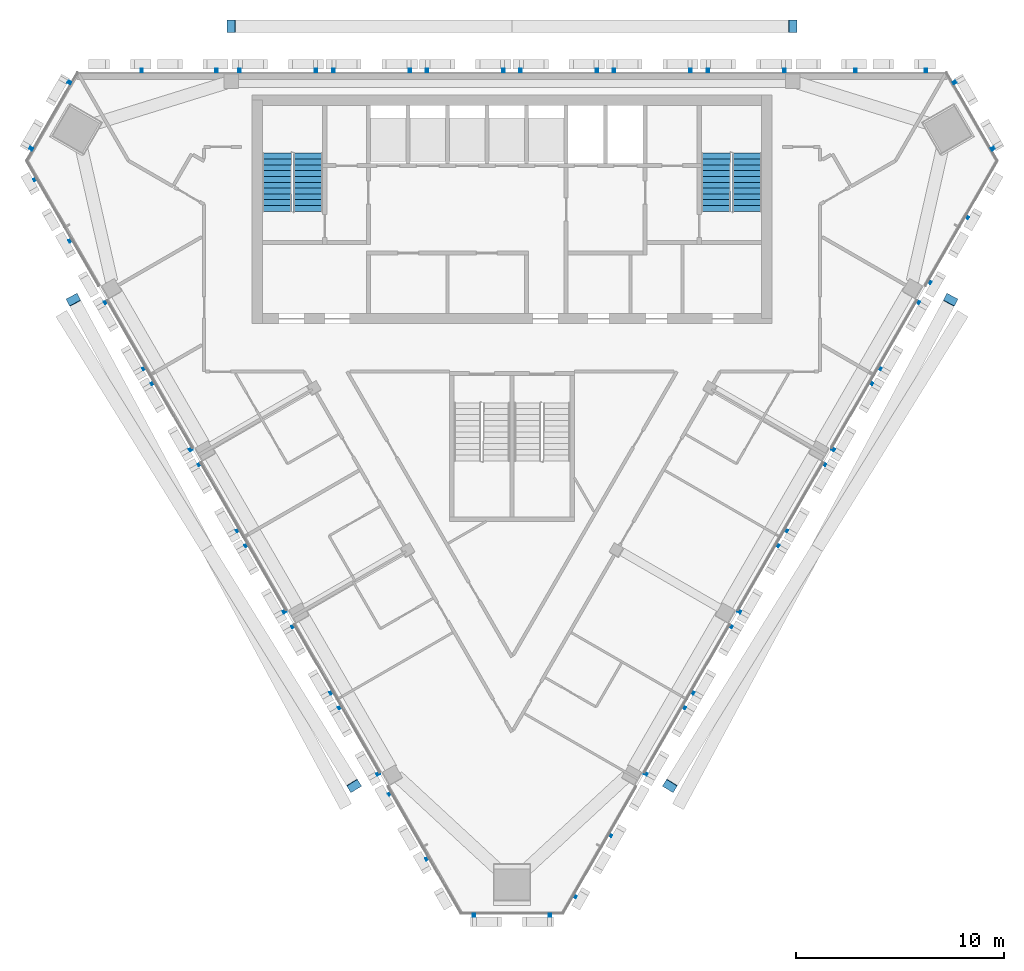
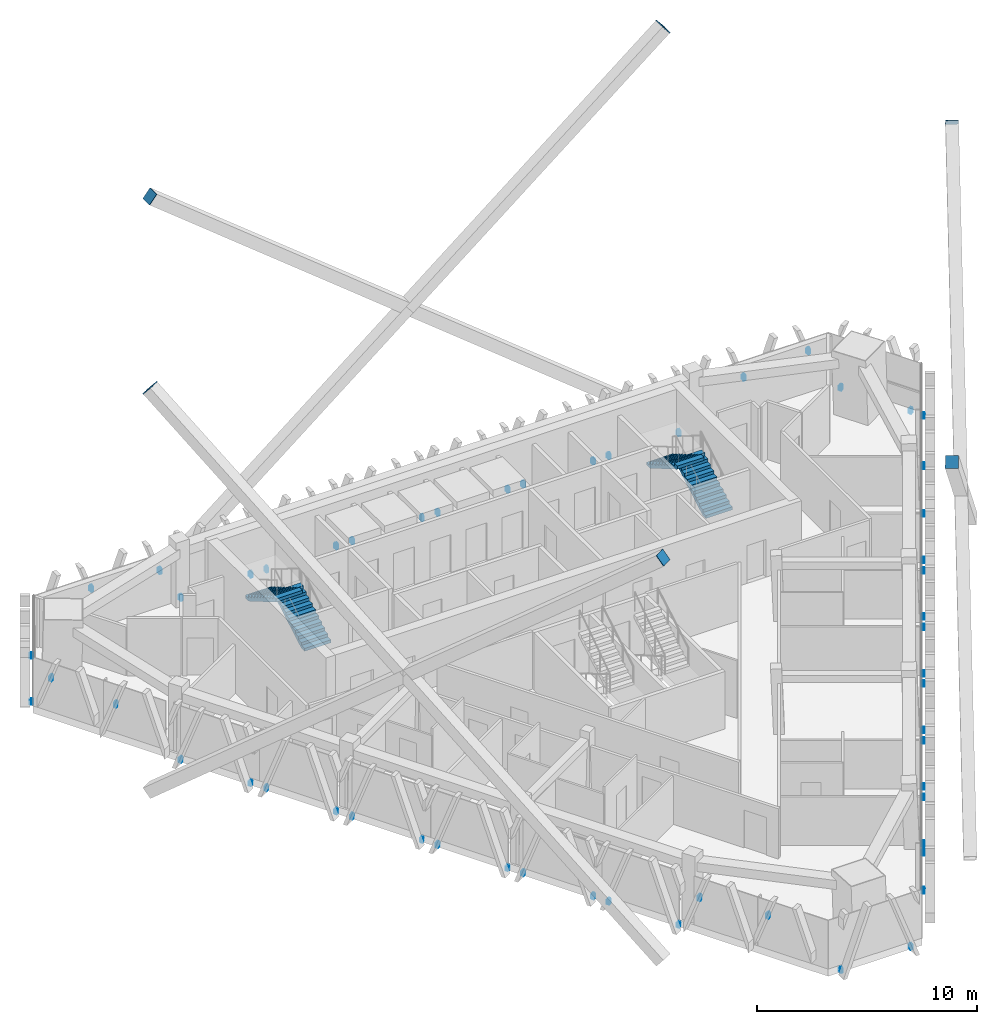
# One storey, part 11 of 14: 12 discrete accessories, 4 stair flights, 2 elements without a shape of their own.
"""IFC4 building model written with IfcOpenShell, lengths in metres."""

import ifcopenshell
import ifcopenshell.guid

model = None  # the IFC model being written
_history = None  # IfcOwnerHistory: only IFC2X3 demands one
_inside = {}  # id of a spatial element -> (the spatial element, [elements in it])
_under = {}  # id of a project, library or spatial element -> (it, [spatial elements below it])
_declared = {}  # id of a project -> (the project, [libraries it declares])
_typed = {}  # id of a type object -> (the type object, [elements of that type])
_made_of = {}  # id of a material, layer set ... -> (it, [elements and type objects made of it])


def new_model(schema):
    """Start an empty IFC model of exactly this schema.

    Asked for "IFC4X3", IfcOpenShell would pick the latest addendum, in which some entities
    have other attributes; the version numbers below select the first issue.
    IFC2X3 requires an IfcOwnerHistory on every rooted entity: one is made here for all.
    """
    global model, _history
    if schema == "IFC4X3":
        model = ifcopenshell.file(schema_version=(4, 3, 0, 0))
    else:
        model = ifcopenshell.file(schema=schema)
    _inside.clear()
    _under.clear()
    _declared.clear()
    _typed.clear()
    _made_of.clear()
    _history = None
    if model.schema == "IFC2X3":
        org = make("IfcOrganization", Name="unknown")
        user = make(
            "IfcPersonAndOrganization",
            ThePerson=make("IfcPerson", FamilyName="unknown"),
            TheOrganization=org,
        )
        app = make(
            "IfcApplication",
            ApplicationDeveloper=org,
            Version="unknown",
            ApplicationFullName="unknown",
            ApplicationIdentifier="unknown",
        )
        _history = make(
            "IfcOwnerHistory",
            OwningUser=user,
            OwningApplication=app,
            ChangeAction="ADDED",
            CreationDate=0,
        )
    return model


def make(cls, **values):
    """One entity of the class cls with the attributes given. An attribute that is None is left unset."""
    return model.create_entity(
        cls, **{name: value for name, value in values.items() if value is not None}
    )


def rooted(cls, **values):
    """An entity with a GlobalId (a new one), such as an element, a storey or a relation."""
    return make(cls, GlobalId=ifcopenshell.guid.new(), OwnerHistory=_history, **values)


def si_unit(unit_type, name, prefix=None):
    """IfcSIUnit, for example si_unit("LENGTHUNIT", "METRE", prefix="MILLI")."""
    return make("IfcSIUnit", UnitType=unit_type, Prefix=prefix, Name=name)


def assignment(units):
    """IfcUnitAssignment: the units of a project."""
    return None if units is None else make("IfcUnitAssignment", Units=units)


def point(xyz):
    """IfcCartesianPoint."""
    return None if xyz is None else make("IfcCartesianPoint", Coordinates=xyz)


def direction(xyz):
    """IfcDirection."""
    return None if xyz is None else make("IfcDirection", DirectionRatios=xyz)


def frame(location, z_axis=None, x_axis=None):
    """IfcAxis2Placement3D, a coordinate frame: its origin and axes. An axis left out is left unset."""
    return make(
        "IfcAxis2Placement3D",
        Location=point(location),
        Axis=direction(z_axis),
        RefDirection=direction(x_axis),
    )


def frame_2d(location, x_axis=None):
    """IfcAxis2Placement2D, a coordinate frame in the plane: its origin and x axis."""
    return make(
        "IfcAxis2Placement2D", Location=point(location), RefDirection=direction(x_axis)
    )


def origin():
    """The frame at (0, 0, 0) with its axes left unset."""
    return frame((0.0, 0.0, 0.0))


def origin_2d():
    """The frame at (0, 0) in the plane with its x axis left unset."""
    return frame_2d((0.0, 0.0))


def place(relative_to, where):
    """IfcLocalPlacement: puts the frame where relative to a parent placement (None: the world)."""
    return make(
        "IfcLocalPlacement", PlacementRelTo=relative_to, RelativePlacement=where
    )


def context(
    kind, dimensions, precision=None, world=None, true_north=None, identifier=None
):
    """IfcGeometricRepresentationContext, for example the 3D "Model" context."""
    return make(
        "IfcGeometricRepresentationContext",
        ContextIdentifier=identifier,
        ContextType=kind,
        CoordinateSpaceDimension=dimensions,
        Precision=precision,
        WorldCoordinateSystem=world,
        TrueNorth=true_north,
    )


def subcontext(parent, identifier, kind, view, scale=None):
    """IfcGeometricRepresentationSubContext, for example "Body" below "Model"."""
    return make(
        "IfcGeometricRepresentationSubContext",
        ContextIdentifier=identifier,
        ContextType=kind,
        ParentContext=parent,
        TargetScale=scale,
        TargetView=view,
    )


def project(units=None, contexts=None):
    """IfcProject with its units and contexts."""
    return rooted(
        "IfcProject",
        Name="project",
        RepresentationContexts=contexts,
        UnitsInContext=assignment(units),
    )


def spatial(cls, under=None, at=None, **own):
    """A site, building, storey or space (cls), placed at a placement, below another one or the project."""
    s = rooted(cls, ObjectPlacement=at, **own)
    if under is not None:
        _under.setdefault(under.id(), (under, []))[1].append(s)
    return s


def polyline(points):
    """IfcPolyline through the points."""
    return make("IfcPolyline", Points=[point(p) for p in points])


def profile(cls, at=None, kind="AREA", **sizes):
    """A parametric profile (cls). Its sizes go by their IFC names, for example OverallWidth=200.0."""
    return make(cls, ProfileType=kind, Position=at, **sizes)


def rectangle(**sizes):
    """IfcRectangleProfileDef."""
    return profile("IfcRectangleProfileDef", **sizes)


def outline(outer, holes=None, kind="AREA"):
    """IfcArbitraryClosedProfileDef: a profile drawn as a closed curve; with holes, ...WithVoids."""
    if holes is None:
        return make("IfcArbitraryClosedProfileDef", ProfileType=kind, OuterCurve=outer)
    return make(
        "IfcArbitraryProfileDefWithVoids",
        ProfileType=kind,
        OuterCurve=outer,
        InnerCurves=holes,
    )


def extrude(swept, where, along, depth):
    """IfcExtrudedAreaSolid: the profile swept, set in the frame where, extruded along a direction by depth."""
    return make(
        "IfcExtrudedAreaSolid",
        SweptArea=swept,
        Position=where,
        ExtrudedDirection=direction(along),
        Depth=depth,
    )


def shape(context_of_items, identifier, shape_type, items):
    """IfcShapeRepresentation: the items that make up one representation, for example the "Body"."""
    return make(
        "IfcShapeRepresentation",
        ContextOfItems=context_of_items,
        RepresentationIdentifier=identifier,
        RepresentationType=shape_type,
        Items=items,
    )


def source(mapping_origin, context_of_items, identifier, shape_type, items):
    """IfcRepresentationMap: a shape defined once, which mapped items show again and again."""
    return make(
        "IfcRepresentationMap",
        MappingOrigin=mapping_origin,
        MappedRepresentation=shape(context_of_items, identifier, shape_type, items),
    )


def transform(
    local_origin,
    x_axis=None,
    y_axis=None,
    z_axis=None,
    scale=None,
    scale2=None,
    scale3=None,
    uniform=True,
):
    """IfcCartesianTransformationOperator3D, or its non-uniform kind. x_axis, y_axis, z_axis: its Axis1, 2, 3."""
    if uniform:
        return make(
            "IfcCartesianTransformationOperator3D",
            Axis1=direction(x_axis),
            Axis2=direction(y_axis),
            LocalOrigin=point(local_origin),
            Scale=scale,
            Axis3=direction(z_axis),
        )
    return make(
        "IfcCartesianTransformationOperator3DnonUniform",
        Axis1=direction(x_axis),
        Axis2=direction(y_axis),
        LocalOrigin=point(local_origin),
        Scale=scale,
        Axis3=direction(z_axis),
        Scale2=scale2,
        Scale3=scale3,
    )


def mapped(mapping_source, mapping_target):
    """IfcMappedItem: shows the shape of a source again, moved by a transform."""
    return make(
        "IfcMappedItem", MappingSource=mapping_source, MappingTarget=mapping_target
    )


def material(Name=None, Category=None):
    """IfcMaterial."""
    return make("IfcMaterial", Name=Name, Category=Category)


def material_profile(
    of_material, cross_section, Name=None, Category=None, Priority=None
):
    """IfcMaterialProfile: a cross section and its material."""
    return make(
        "IfcMaterialProfile",
        Name=Name,
        Material=of_material,
        Profile=cross_section,
        Priority=Priority,
        Category=Category,
    )


def profile_set(profiles, Name=None, composite=None):
    """IfcMaterialProfileSet."""
    return make(
        "IfcMaterialProfileSet",
        Name=Name,
        MaterialProfiles=profiles,
        CompositeProfile=composite,
    )


def made_of(thing, what):
    """Note that an element or type object is made of a material, layer set ...; save() writes the relation."""
    if what is not None:
        _made_of.setdefault(what.id(), (what, []))[1].append(thing)
    return thing


def type_object(cls, material=None, **own):
    """A type object (cls), such as IfcWallType, which elements share."""
    return made_of(rooted(cls, **own), material)


def element(
    cls,
    number,
    at=None,
    inside=None,
    cuts=None,
    type_object=None,
    material=None,
    context=None,
    identifier="Body",
    shape_type=None,
    held_by="IfcProductDefinitionShape",
    body=None,
    shapes=None,
    **own,
):
    """One element of the class cls, such as IfcWall. Its Tag is "e" and its number.

    at: its placement. inside: the storey or other place that contains it. cuts: it is an
    opening in that element (IfcRelVoidsElement). A single representation is given by context,
    identifier, shape_type and body (its items); several are given by shapes. held_by: the class
    of the entity that holds the representations. save() writes the other relations.
    """
    e = rooted(cls, Tag="e%d" % number, ObjectPlacement=at, **own)
    if body is not None:
        shapes = [shape(context, identifier, shape_type, body)]
    if shapes is not None:
        e.Representation = make(held_by, Representations=shapes)
    if inside is not None:
        _inside.setdefault(inside.id(), (inside, []))[1].append(e)
    if cuts is not None:
        rooted(
            "IfcRelVoidsElement", RelatingBuildingElement=cuts, RelatedOpeningElement=e
        )
    if type_object is not None:
        _typed.setdefault(type_object.id(), (type_object, []))[1].append(e)
    return made_of(e, material)


def aggregate(whole, parts):
    """IfcRelAggregates: a whole, such as a stair, and the parts it consists of."""
    return rooted("IfcRelAggregates", RelatingObject=whole, RelatedObjects=parts)


def save(model, path):
    """Write the relations noted so far, then the file.

    IfcRelAggregates (storeys below a building ...), IfcRelContainedInSpatialStructure (elements
    in a storey), IfcRelDefinesByType, IfcRelAssociatesMaterial and IfcRelDeclares: one each for
    every whole, place, type object, material and project.
    """
    for whole, parts in _under.values():
        aggregate(whole, parts)
    for where, things in _inside.values():
        rooted(
            "IfcRelContainedInSpatialStructure",
            RelatedElements=things,
            RelatingStructure=where,
        )
    for kind, things in _typed.values():
        rooted("IfcRelDefinesByType", RelatedObjects=things, RelatingType=kind)
    for what, things in _made_of.values():
        rooted("IfcRelAssociatesMaterial", RelatedObjects=things, RelatingMaterial=what)
    for by, libraries in _declared.values():
        rooted("IfcRelDeclares", RelatingContext=by, RelatedDefinitions=libraries)
    model.write(path)


model = new_model("IFC4")

# Units and contexts
model_context = context("Model", 3, precision=1e-05, world=origin(), true_north=direction((0.0, 1.0)))
body_context = subcontext(model_context, "Body", "Model", "MODEL_VIEW")
ifc_project = project(units=[si_unit("LENGTHUNIT", "METRE"), si_unit("AREAUNIT", "SQUARE_METRE"), si_unit("VOLUMEUNIT", "CUBIC_METRE"), si_unit("PLANEANGLEUNIT", "RADIAN"), si_unit("MASSUNIT", "GRAM", prefix="KILO")], contexts=[model_context])

# Site, building, storey
site_placement = place(None, origin())
site = spatial("IfcSite", under=ifc_project, at=site_placement, CompositionType="ELEMENT")
building_placement = place(site_placement, origin())
building = spatial("IfcBuilding", under=site, at=building_placement, Name="Altiplano Prism Tower", CompositionType="ELEMENT")
storey_placement = place(building_placement, frame((0.0, 0.0, 264.39990234375)))
storey = spatial("IfcBuildingStorey", under=building, at=storey_placement, Name="L68", CompositionType="ELEMENT", Elevation=264.39990234375)

# Stair, stair flights
ifc_material_1 = material(Name="Concrete C40/50", Category="concrete")
stair_type = type_object("IfcStairType", Name="Exit stair 1400", PredefinedType="HALF_TURN_STAIR", material=ifc_material_1)
stair_1_placement = place(storey_placement, origin())
stair_1 = element("IfcStair", 1, at=stair_1_placement, inside=storey, type_object=stair_type, Name="L68 Exit Stair 1", PredefinedType="HALF_TURN_STAIR")
stair_flight_type = type_object("IfcStairFlightType", Name="Stair flight concrete 150", PredefinedType="STRAIGHT", material=ifc_material_1)
stair_flight_1_placement = place(storey_placement, frame((75.199951171875, 98.300048828125, 0.0), z_axis=(0.0, 0.0, 1.0), x_axis=(0.0, 1.0, 0.0)))
stair_flight_1 = element("IfcStairFlight", 2, at=stair_flight_1_placement, type_object=stair_flight_type, Name="ST1 flight 1", NumberOfRisers=11, NumberOfTreads=10, PredefinedType="STRAIGHT", RiserHeight=0.163636364, TreadLength=0.28, context=body_context, shape_type="SweptSolid", body=[
    extrude(outline(polyline([(0.0, 0.0), (0.0, 0.16357421875), (0.280029296875, 0.16357421875), (0.280029296875, 0.327392578125), (0.56005859375, 0.327392578125), (0.56005859375, 0.490966796875), (0.840087890625, 0.490966796875), (0.840087890625, 0.654541015625), (1.1201171875, 0.654541015625), (1.1201171875, 0.818115234375), (1.39990234375, 0.818115234375), (1.39990234375, 0.98193359375), (1.679931640625, 0.98193359375), (1.679931640625, 1.1455078125), (1.9599609375, 1.1455078125), (1.9599609375, 1.30908203125), (2.239990234375, 1.30908203125), (2.239990234375, 1.47265625), (2.52001953125, 1.47265625), (2.52001953125, 1.636474609375), (2.800048828125, 1.636474609375), (2.800048828125, 1.800048828125), (2.800048828125, 1.462646484375), (0.297119140625, 0.0), (0.0, 0.0)])), frame((0.0, 0.699951171875, 0.0), z_axis=(0.0, -1.0, 0.0), x_axis=(1.0, 0.0, 0.0)), (0.0, 0.0, 1.0), 1.39990234375),
])
stair_flight_2_placement = place(storey_placement, frame((73.699951171875, 101.10009765625, 1.800048828125), z_axis=(0.0, 0.0, 1.0), x_axis=(0.0, -1.0, 0.0)))
stair_flight_2 = element("IfcStairFlight", 3, at=stair_flight_2_placement, type_object=stair_flight_type, Name="ST1 flight 2", NumberOfRisers=11, NumberOfTreads=10, PredefinedType="STRAIGHT", RiserHeight=0.163636364, TreadLength=0.28, context=body_context, shape_type="SweptSolid", body=[
    extrude(outline(polyline([(0.0, 0.0), (0.0, 0.16357421875), (0.280029296875, 0.16357421875), (0.280029296875, 0.327392578125), (0.56005859375, 0.327392578125), (0.56005859375, 0.490966796875), (0.840087890625, 0.490966796875), (0.840087890625, 0.654541015625), (1.1201171875, 0.654541015625), (1.1201171875, 0.818115234375), (1.39990234375, 0.818115234375), (1.39990234375, 0.98193359375), (1.679931640625, 0.98193359375), (1.679931640625, 1.1455078125), (1.9599609375, 1.1455078125), (1.9599609375, 1.30908203125), (2.239990234375, 1.30908203125), (2.239990234375, 1.47265625), (2.52001953125, 1.47265625), (2.52001953125, 1.636474609375), (2.800048828125, 1.636474609375), (2.800048828125, 1.800048828125), (2.800048828125, 1.462646484375), (0.297119140625, 0.0), (0.0, 0.0)])), frame((0.0, 0.699951171875, 0.0), z_axis=(0.0, -1.0, 0.0), x_axis=(1.0, 0.0, 0.0)), (0.0, 0.0, 1.0), 1.39990234375),
])
aggregate(stair_1, [stair_flight_1, stair_flight_2])

stair_2_placement = place(storey_placement, origin())
stair_2 = element("IfcStair", 4, at=stair_2_placement, inside=storey, type_object=stair_type, Name="L68 Exit Stair 2", PredefinedType="HALF_TURN_STAIR")
stair_flight_3_placement = place(storey_placement, frame((96.300048828125, 98.300048828125, 0.0), z_axis=(0.0, 0.0, 1.0), x_axis=(0.0, 1.0, 0.0)))
stair_flight_3 = element("IfcStairFlight", 5, at=stair_flight_3_placement, type_object=stair_flight_type, Name="ST2 flight 1", NumberOfRisers=11, NumberOfTreads=10, PredefinedType="STRAIGHT", RiserHeight=0.163636364, TreadLength=0.28, context=body_context, shape_type="SweptSolid", body=[
    extrude(outline(polyline([(0.0, 0.0), (0.0, 0.16357421875), (0.280029296875, 0.16357421875), (0.280029296875, 0.327392578125), (0.56005859375, 0.327392578125), (0.56005859375, 0.490966796875), (0.840087890625, 0.490966796875), (0.840087890625, 0.654541015625), (1.1201171875, 0.654541015625), (1.1201171875, 0.818115234375), (1.39990234375, 0.818115234375), (1.39990234375, 0.98193359375), (1.679931640625, 0.98193359375), (1.679931640625, 1.1455078125), (1.9599609375, 1.1455078125), (1.9599609375, 1.30908203125), (2.239990234375, 1.30908203125), (2.239990234375, 1.47265625), (2.52001953125, 1.47265625), (2.52001953125, 1.636474609375), (2.800048828125, 1.636474609375), (2.800048828125, 1.800048828125), (2.800048828125, 1.462646484375), (0.297119140625, 0.0), (0.0, 0.0)])), frame((0.0, 0.699951171875, 0.0), z_axis=(0.0, -1.0, 0.0), x_axis=(1.0, 0.0, 0.0)), (0.0, 0.0, 1.0), 1.39990234375),
])
stair_flight_4_placement = place(storey_placement, frame((94.800048828125, 101.10009765625, 1.800048828125), z_axis=(0.0, 0.0, 1.0), x_axis=(0.0, -1.0, 0.0)))
stair_flight_4 = element("IfcStairFlight", 6, at=stair_flight_4_placement, type_object=stair_flight_type, Name="ST2 flight 2", NumberOfRisers=11, NumberOfTreads=10, PredefinedType="STRAIGHT", RiserHeight=0.163636364, TreadLength=0.28, context=body_context, shape_type="SweptSolid", body=[
    extrude(outline(polyline([(0.0, 0.0), (0.0, 0.16357421875), (0.280029296875, 0.16357421875), (0.280029296875, 0.327392578125), (0.56005859375, 0.327392578125), (0.56005859375, 0.490966796875), (0.840087890625, 0.490966796875), (0.840087890625, 0.654541015625), (1.1201171875, 0.654541015625), (1.1201171875, 0.818115234375), (1.39990234375, 0.818115234375), (1.39990234375, 0.98193359375), (1.679931640625, 0.98193359375), (1.679931640625, 1.1455078125), (1.9599609375, 1.1455078125), (1.9599609375, 1.30908203125), (2.239990234375, 1.30908203125), (2.239990234375, 1.47265625), (2.52001953125, 1.47265625), (2.52001953125, 1.636474609375), (2.800048828125, 1.636474609375), (2.800048828125, 1.800048828125), (2.800048828125, 1.462646484375), (0.297119140625, 0.0), (0.0, 0.0)])), frame((0.0, 0.699951171875, 0.0), z_axis=(0.0, -1.0, 0.0), x_axis=(1.0, 0.0, 0.0)), (0.0, 0.0, 1.0), 1.39990234375),
])
aggregate(stair_2, [stair_flight_3, stair_flight_4])

# Discrete accessories
ifc_material_2 = material(Name="Steel S355", Category="steel")
ifc_material_profile = material_profile(ifc_material_2, rectangle(XDim=0.60009765625, YDim=0.60009765625, at=origin_2d()), Name="Brace end plate 600x600x30")
ifc_profile_set = profile_set([ifc_material_profile], Name="Steel S355")
discrete_accessory_type_1 = type_object("IfcDiscreteAccessoryType", Name="Brace end plate 600x600x30", PredefinedType="ANCHORPLATE", material=ifc_profile_set)
for number, where, z_axis, x_axis, name in (
    (7, (71.5, 107.199951171875, 20.9501953125), (0.780075421094, 0.0, -0.625685494002), (0.0, 1.0, 0.0), "Brace end plate Mega brace 7.0.2 end 2"),
    (8, (98.5, 107.199951171875, 20.9501953125), (-0.780075421094, 0.0, -0.625685494002), (0.0, -1.0, 0.0), "Brace end plate Mega brace 7.0.4 end 2"),
    (9, (77.4130859375, 70.67626953125, 20.9501953125), (-0.40628928182, 0.658188636548, -0.633811279639), (-0.850936110144, -0.525269203793, 0.0), "Brace end plate Mega brace 7.1.2 end 2"),
    (10, (63.9130859375, 94.05908203125, 20.9501953125), (0.365250596018, -0.689917792479, -0.624984353187), (0.883787916347, 0.467887720419, 0.0), "Brace end plate Mega brace 7.1.4 end 2"),
    (11, (106.0869140625, 94.05908203125, 20.9501953125), (-0.365250596018, -0.689917792479, -0.624984353187), (0.883787916347, -0.467887720419, 0.0), "Brace end plate Mega brace 7.2.2 end 2"),
    (12, (92.5869140625, 70.67626953125, 20.9501953125), (0.40628928182, 0.658188636548, -0.633811279639), (-0.850936110144, 0.525269203793, 0.0), "Brace end plate Mega brace 7.2.4 end 2"),
):
    element("IfcDiscreteAccessory", number, at=place(storey_placement, frame(where, z_axis=z_axis, x_axis=x_axis)), inside=storey, type_object=discrete_accessory_type_1, Name=name, PredefinedType="ANCHORPLATE", context=body_context, shape_type="SweptSolid", body=[
        extrude(rectangle(XDim=0.60009765625, YDim=0.60009765625, at=origin_2d()), origin(), (0.0, 0.0, 1.0), 0.030029296875),
    ])
ifc_material_3 = material(Name="Stainless steel", Category="steel")
discrete_accessory_type_2 = type_object("IfcDiscreteAccessoryType", Name="Stone fin fixing prongs", PredefinedType="USERDEFINED", material=ifc_material_3)
shared_shape_1 = source(origin(), body_context, "Body", "SweptSolid", [
    extrude(outline(polyline([(-1.11181640625, 2.20849609375), (-0.991943359375, 2.20849609375), (-0.991943359375, 2.508544921875), (-1.11181640625, 2.508544921875), (-1.11181640625, 2.20849609375)])), frame((0.0, 0.0, 0.0), z_axis=(0.0, -1.0, 0.0), x_axis=(1.0, 0.0, 0.0)), (0.0, 0.0, 1.0), 0.14990234375),
])
shared_shape_2 = source(origin(), body_context, "Body", "SweptSolid", [
    extrude(outline(polyline([(-1.21142578125, 1.934814453125), (-1.091552734375, 1.934814453125), (-1.091552734375, 2.234619140625), (-1.21142578125, 2.234619140625), (-1.21142578125, 1.934814453125)])), frame((0.0, 0.0, 0.0), z_axis=(0.0, -1.0, 0.0), x_axis=(1.0, 0.0, 0.0)), (0.0, 0.0, 1.0), 0.14990234375),
])
shared_shape_3 = source(origin(), body_context, "Body", "SweptSolid", [
    extrude(outline(polyline([(-1.8974609375, 0.06005859375), (-1.777587890625, 0.06005859375), (-1.777587890625, 0.340087890625), (-1.8974609375, 0.340087890625), (-1.8974609375, 0.06005859375)])), frame((0.0, 0.0, 0.0), z_axis=(0.0, -1.0, 0.0), x_axis=(1.0, 0.0, 0.0)), (0.0, 0.0, 1.0), 0.14990234375),
    extrude(outline(polyline([(1.777587890625, 0.06005859375), (1.8974609375, 0.06005859375), (1.8974609375, 0.340087890625), (1.777587890625, 0.340087890625), (1.777587890625, 0.06005859375)])), frame((0.0, 0.0, 0.0), z_axis=(0.0, -1.0, 0.0), x_axis=(1.0, 0.0, 0.0)), (0.0, 0.0, 1.0), 0.14990234375),
])
discrete_accessory_1_placement = place(storey_placement, origin())
element("IfcDiscreteAccessory", 13, at=discrete_accessory_1_placement, inside=storey, type_object=discrete_accessory_type_2, Name="Fin fixings L68 north face", ObjectType="BRACKET", PredefinedType="USERDEFINED", context=body_context, shape_type="MappedRepresentation", body=[
    mapped(shared_shape_1, transform((103.849365234375, 105.0, -0.39990234375), x_axis=(-1.0, 0.0, 0.0), y_axis=(0.0, -1.0, 0.0), z_axis=(0.0, 0.0, 1.0))),
    mapped(shared_shape_2, transform((100.349853515625, 105.0, -0.39990234375), x_axis=(-1.0, 0.0, 0.0), y_axis=(0.0, -1.0, 0.0), z_axis=(0.0, 0.0, 1.0))),
    mapped(shared_shape_3, transform((96.25, 105.0, -0.39990234375), x_axis=(-1.0, 0.0, 0.0), y_axis=(0.0, -1.0, 0.0), z_axis=(0.0, 0.0, 1.0))),
    mapped(shared_shape_3, transform((91.75, 105.0, -0.39990234375), x_axis=(-1.0, 0.0, 0.0), y_axis=(0.0, -1.0, 0.0), z_axis=(0.0, 0.0, 1.0))),
    mapped(shared_shape_3, transform((87.25, 105.0, -0.39990234375), x_axis=(-1.0, 0.0, 0.0), y_axis=(0.0, -1.0, 0.0), z_axis=(0.0, 0.0, 1.0))),
    mapped(shared_shape_3, transform((82.75, 105.0, -0.39990234375), x_axis=(-1.0, 0.0, 0.0), y_axis=(0.0, -1.0, 0.0), z_axis=(0.0, 0.0, 1.0))),
    mapped(shared_shape_3, transform((78.25, 105.0, -0.39990234375), x_axis=(-1.0, 0.0, 0.0), y_axis=(0.0, -1.0, 0.0), z_axis=(0.0, 0.0, 1.0))),
    mapped(shared_shape_3, transform((73.75, 105.0, -0.39990234375), x_axis=(-1.0, 0.0, 0.0), y_axis=(0.0, -1.0, 0.0), z_axis=(0.0, 0.0, 1.0))),
    mapped(shared_shape_2, transform((69.650146484375, 105.0, -0.39990234375), x_axis=(-1.0, 0.0, 0.0), y_axis=(0.0, -1.0, 0.0), z_axis=(0.0, 0.0, 1.0))),
    mapped(shared_shape_1, transform((66.150634765625, 105.0, -0.39990234375), x_axis=(-1.0, 0.0, 0.0), y_axis=(0.0, -1.0, 0.0), z_axis=(0.0, 0.0, 1.0))),
])
discrete_accessory_2_placement = place(storey_placement, origin())
element("IfcDiscreteAccessory", 14, at=discrete_accessory_2_placement, inside=storey, type_object=discrete_accessory_type_2, Name="Fin fixings L68 south-west face", ObjectType="BRACKET", PredefinedType="USERDEFINED", context=body_context, shape_type="MappedRepresentation", body=[
    mapped(shared_shape_1, transform((62.66357421875, 98.960205078125, -0.39990234375), x_axis=(0.499999990242, -0.866025409418, 0.0), y_axis=(0.866025409418, 0.499999990242, 0.0), z_axis=(0.0, 0.0, 1.0))),
    mapped(shared_shape_2, transform((64.41357421875, 95.9296875, -0.39990234375), x_axis=(0.499999990242, -0.866025409418, 0.0), y_axis=(0.866025409418, 0.499999990242, 0.0), z_axis=(0.0, 0.0, 1.0))),
    mapped(shared_shape_3, transform((66.46337890625, 92.379150390625, -0.39990234375), x_axis=(0.499999990242, -0.866025409418, 0.0), y_axis=(0.866025409418, 0.499999990242, 0.0), z_axis=(0.0, 0.0, 1.0))),
    mapped(shared_shape_3, transform((68.71337890625, 88.48193359375, -0.39990234375), x_axis=(0.499999990242, -0.866025409418, 0.0), y_axis=(0.866025409418, 0.499999990242, 0.0), z_axis=(0.0, 0.0, 1.0))),
    mapped(shared_shape_3, transform((70.96337890625, 84.5849609375, -0.39990234375), x_axis=(0.499999990242, -0.866025409418, 0.0), y_axis=(0.866025409418, 0.499999990242, 0.0), z_axis=(0.0, 0.0, 1.0))),
    mapped(shared_shape_3, transform((73.21337890625, 80.687744140625, -0.39990234375), x_axis=(0.499999990242, -0.866025409418, 0.0), y_axis=(0.866025409418, 0.499999990242, 0.0), z_axis=(0.0, 0.0, 1.0))),
    mapped(shared_shape_3, transform((75.46337890625, 76.790771484375, -0.39990234375), x_axis=(0.499999990242, -0.866025409418, 0.0), y_axis=(0.866025409418, 0.499999990242, 0.0), z_axis=(0.0, 0.0, 1.0))),
    mapped(shared_shape_3, transform((77.71337890625, 72.8935546875, -0.39990234375), x_axis=(0.499999990242, -0.866025409418, 0.0), y_axis=(0.866025409418, 0.499999990242, 0.0), z_axis=(0.0, 0.0, 1.0))),
    mapped(shared_shape_2, transform((79.76318359375, 69.343017578125, -0.39990234375), x_axis=(0.499999990242, -0.866025409418, 0.0), y_axis=(0.866025409418, 0.499999990242, 0.0), z_axis=(0.0, 0.0, 1.0))),
    mapped(shared_shape_1, transform((81.512939453125, 66.312255859375, -0.39990234375), x_axis=(0.499999990242, -0.866025409418, 0.0), y_axis=(0.866025409418, 0.499999990242, 0.0), z_axis=(0.0, 0.0, 1.0))),
])
discrete_accessory_3_placement = place(storey_placement, origin())
element("IfcDiscreteAccessory", 15, at=discrete_accessory_3_placement, inside=storey, type_object=discrete_accessory_type_2, Name="Fin fixings L68 south-east face", ObjectType="BRACKET", PredefinedType="USERDEFINED", context=body_context, shape_type="MappedRepresentation", body=[
    mapped(shared_shape_1, transform((88.487060546875, 66.312255859375, -0.39990234375), x_axis=(0.499999990242, 0.866025409418, 0.0), y_axis=(-0.866025409418, 0.499999990242, 0.0), z_axis=(0.0, 0.0, 1.0))),
    mapped(shared_shape_2, transform((90.23681640625, 69.343017578125, -0.39990234375), x_axis=(0.499999990242, 0.866025409418, 0.0), y_axis=(-0.866025409418, 0.499999990242, 0.0), z_axis=(0.0, 0.0, 1.0))),
    mapped(shared_shape_3, transform((92.28662109375, 72.8935546875, -0.39990234375), x_axis=(0.499999990242, 0.866025409418, 0.0), y_axis=(-0.866025409418, 0.499999990242, 0.0), z_axis=(0.0, 0.0, 1.0))),
    mapped(shared_shape_3, transform((94.53662109375, 76.790771484375, -0.39990234375), x_axis=(0.499999990242, 0.866025409418, 0.0), y_axis=(-0.866025409418, 0.499999990242, 0.0), z_axis=(0.0, 0.0, 1.0))),
    mapped(shared_shape_3, transform((96.78662109375, 80.687744140625, -0.39990234375), x_axis=(0.499999990242, 0.866025409418, 0.0), y_axis=(-0.866025409418, 0.499999990242, 0.0), z_axis=(0.0, 0.0, 1.0))),
    mapped(shared_shape_3, transform((99.03662109375, 84.5849609375, -0.39990234375), x_axis=(0.499999990242, 0.866025409418, 0.0), y_axis=(-0.866025409418, 0.499999990242, 0.0), z_axis=(0.0, 0.0, 1.0))),
    mapped(shared_shape_3, transform((101.28662109375, 88.48193359375, -0.39990234375), x_axis=(0.499999990242, 0.866025409418, 0.0), y_axis=(-0.866025409418, 0.499999990242, 0.0), z_axis=(0.0, 0.0, 1.0))),
    mapped(shared_shape_3, transform((103.53662109375, 92.379150390625, -0.39990234375), x_axis=(0.499999990242, 0.866025409418, 0.0), y_axis=(-0.866025409418, 0.499999990242, 0.0), z_axis=(0.0, 0.0, 1.0))),
    mapped(shared_shape_2, transform((105.58642578125, 95.9296875, -0.39990234375), x_axis=(0.499999990242, 0.866025409418, 0.0), y_axis=(-0.866025409418, 0.499999990242, 0.0), z_axis=(0.0, 0.0, 1.0))),
    mapped(shared_shape_1, transform((107.33642578125, 98.960205078125, -0.39990234375), x_axis=(0.499999990242, 0.866025409418, 0.0), y_axis=(-0.866025409418, 0.499999990242, 0.0), z_axis=(0.0, 0.0, 1.0))),
])
shared_shape_4 = source(origin(), body_context, "Body", "SweptSolid", [
    extrude(outline(polyline([(-1.8974609375, 0.06005859375), (-1.777587890625, 0.06005859375), (-1.777587890625, 0.340087890625), (-1.8974609375, 0.340087890625), (-1.8974609375, 0.06005859375)])), frame((0.0, 0.0, 0.0), z_axis=(0.0, -1.0, 0.0), x_axis=(1.0, 0.0, 0.0)), (0.0, 0.0, 1.0), 0.14990234375),
    extrude(outline(polyline([(1.777587890625, 0.06005859375), (1.8974609375, 0.06005859375), (1.8974609375, 0.340087890625), (1.777587890625, 0.340087890625), (1.777587890625, 0.06005859375)])), frame((0.0, 0.0, 0.0), z_axis=(0.0, -1.0, 0.0), x_axis=(1.0, 0.0, 0.0)), (0.0, 0.0, 1.0), 0.14990234375),
])
discrete_accessory_4_placement = place(storey_placement, origin())
element("IfcDiscreteAccessory", 16, at=discrete_accessory_4_placement, inside=storey, type_object=discrete_accessory_type_2, Name="Fin fixings L68 north-west chamfer", ObjectType="BRACKET", PredefinedType="USERDEFINED", context=body_context, shape_type="MappedRepresentation", body=[
    mapped(shared_shape_4, transform((62.869873046875, 102.86767578125, -0.39990234375), x_axis=(-0.499999876163, -0.866025475282, 0.0), y_axis=(0.866025475282, -0.499999876163, 0.0), z_axis=(0.0, 0.0, 1.0))),
])
discrete_accessory_5_placement = place(storey_placement, origin())
element("IfcDiscreteAccessory", 17, at=discrete_accessory_5_placement, inside=storey, type_object=discrete_accessory_type_2, Name="Fin fixings L68 south chamfer", ObjectType="BRACKET", PredefinedType="USERDEFINED", context=body_context, shape_type="MappedRepresentation", body=[
    mapped(shared_shape_4, transform((85.0, 64.537109375, -0.39990234375), x_axis=(1.0, 0.0, 0.0), y_axis=(0.0, 1.0, 0.0), z_axis=(0.0, 0.0, 1.0))),
])
discrete_accessory_6_placement = place(storey_placement, origin())
element("IfcDiscreteAccessory", 18, at=discrete_accessory_6_placement, inside=storey, type_object=discrete_accessory_type_2, Name="Fin fixings L68 north-east chamfer", ObjectType="BRACKET", PredefinedType="USERDEFINED", context=body_context, shape_type="MappedRepresentation", body=[
    mapped(shared_shape_4, transform((107.130126953125, 102.86767578125, -0.39990234375), x_axis=(-0.499999876163, 0.866025475282, 0.0), y_axis=(-0.866025475282, -0.499999876163, 0.0), z_axis=(0.0, 0.0, 1.0))),
])

save(model, "model.ifc")
